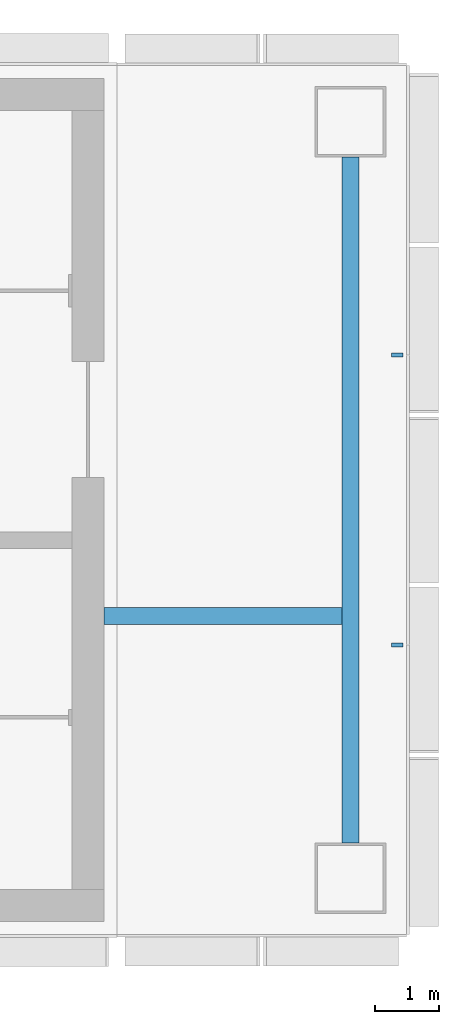
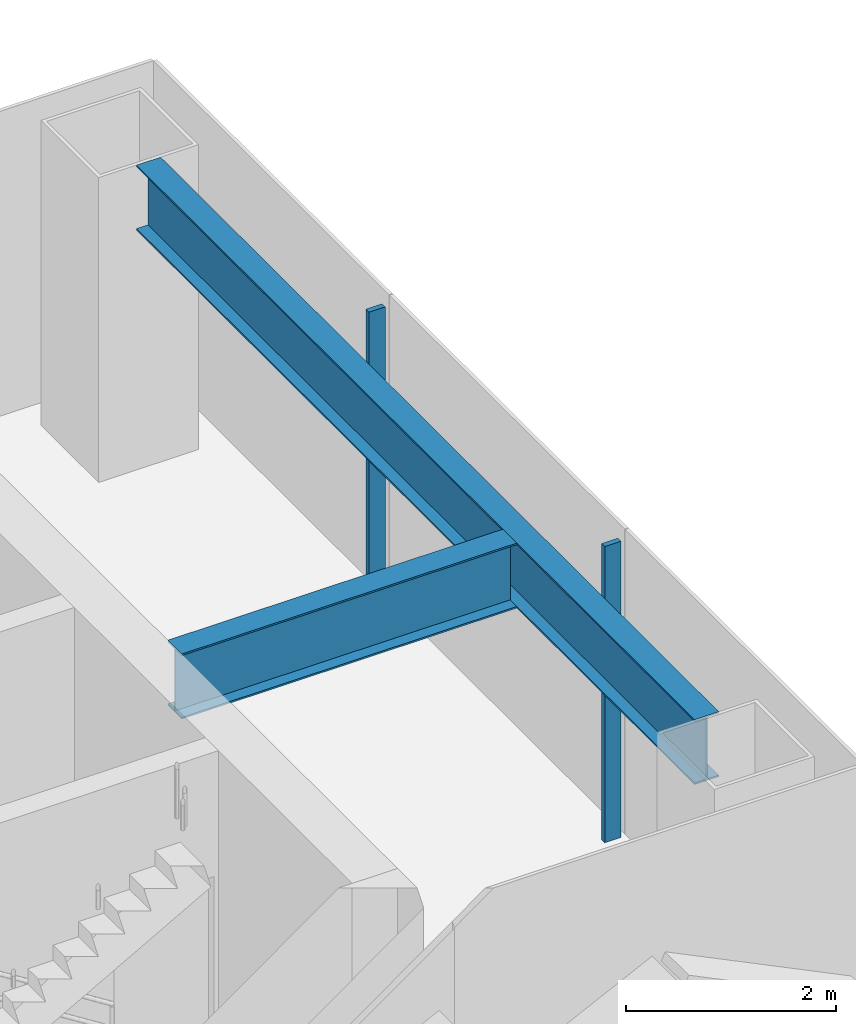
# One storey, part 6 of 16: 2 beams, 2 members, 1 element without a shape of its own.
"""IFC4 building model written with IfcOpenShell, lengths in metres."""

from ifc_helpers import new_model, si_unit, direction, frame, origin, origin_2d, place, context, subcontext, project, spatial, rectangle, i_section, extrude, material, layer, layer_set, material_profile, profile_set, type_object, element, aggregate, save


model = new_model("IFC4")

# Units and contexts
model_context = context("Model", 3, precision=1e-05, world=origin(), true_north=direction((0.0, 1.0)))
body_context = subcontext(model_context, "Body", "Model", "MODEL_VIEW")
ifc_project = project(units=[si_unit("LENGTHUNIT", "METRE"), si_unit("AREAUNIT", "SQUARE_METRE"), si_unit("VOLUMEUNIT", "CUBIC_METRE"), si_unit("PLANEANGLEUNIT", "RADIAN"), si_unit("MASSUNIT", "GRAM", prefix="KILO")], contexts=[model_context])

# Site, building, storey
site_placement = place(None, origin())
site = spatial("IfcSite", under=ifc_project, at=site_placement, CompositionType="ELEMENT")
building_placement = place(site_placement, origin())
building = spatial("IfcBuilding", under=site, at=building_placement, Name="Shamsa Quay Exchange Towers", CompositionType="ELEMENT")
storey_placement = place(building_placement, frame((0.0, 0.0, 146.699951171875)))
storey = spatial("IfcBuildingStorey", under=building, at=storey_placement, Name="L34", CompositionType="ELEMENT", Elevation=146.699951171875)

# Curtain wall, members
ifc_material_1 = material(Name="Aluminium EN AW-6063 T6, black anodised", Category="aluminium")
ifc_layer = layer(ifc_material_1, 0.280029296875)
ifc_layer_set = layer_set([ifc_layer], Name="CW-1 UNITISED VISION GLASS")
curtain_wall_type = type_object("IfcCurtainWallType", Name="CW-1 UNITISED VISION GLASS", PredefinedType="NOTDEFINED", material=ifc_layer_set)
curtain_wall_placement = place(storey_placement, origin())
curtain_wall = element("IfcCurtainWall", 1, at=curtain_wall_placement, inside=storey, type_object=curtain_wall_type, Name="CW1 T2-END-V- L34", PredefinedType="NOTDEFINED")
ifc_material_profile_1 = material_profile(ifc_material_1, rectangle(XDim=0.179931640625, YDim=0.06005859375, at=origin_2d()), Name="MU60x180")
ifc_profile_set_1 = profile_set([ifc_material_profile_1], Name="Aluminium EN AW-6063 T6, black anodised")
member_type = type_object("IfcMemberType", Name="CW1 MULLION 60x180", PredefinedType="MULLION", material=ifc_profile_set_1)
member_1_placement = place(storey_placement, frame((58.35009765625, -2.25, 0.0), z_axis=(0.0, 0.0, 1.0), x_axis=(-1.0, 0.0, 0.0)))
member_1 = element("IfcMember", 2, at=member_1_placement, type_object=member_type, Name="CW1 mullion", PredefinedType="MULLION", context=body_context, shape_type="SweptSolid", body=[
    extrude(rectangle(XDim=0.179931640625, YDim=0.06005859375, at=origin_2d()), origin(), (0.0, 0.0, 1.0), 3.449951171875),
])
member_2_placement = place(storey_placement, frame((58.35009765625, 2.25, 0.0), z_axis=(0.0, 0.0, 1.0), x_axis=(-1.0, 0.0, 0.0)))
member_2 = element("IfcMember", 3, at=member_2_placement, type_object=member_type, Name="CW1 mullion", PredefinedType="MULLION", context=body_context, shape_type="SweptSolid", body=[
    extrude(rectangle(XDim=0.179931640625, YDim=0.06005859375, at=origin_2d()), origin(), (0.0, 0.0, 1.0), 3.449951171875),
])
aggregate(curtain_wall, [member_1, member_2])

# Beams
ifc_material_2 = material(Name="Steel S355", Category="steel")
ifc_material_profile_2 = material_profile(ifc_material_2, i_section(OverallWidth=0.26611328125, OverallDepth=0.7578125, WebThickness=0.013916015625, FlangeThickness=0.019287109375, at=origin_2d()), Name="W30x108")
ifc_profile_set_2 = profile_set([ifc_material_profile_2], Name="Steel S355")
beam_type = type_object("IfcBeamType", Name="End-zone beam W30x108", PredefinedType="BEAM", material=ifc_profile_set_2)
beam_1_placement = place(storey_placement, frame((57.625, -5.324951171875, 3.171142578125), z_axis=(0.0, 1.0, 0.0), x_axis=(-1.0, 0.0, 0.0)))
element("IfcBeam", 4, at=beam_1_placement, inside=storey, type_object=beam_type, Name="End beam T2 V- end zone L34", PredefinedType="BEAM", context=body_context, shape_type="SweptSolid", body=[
    extrude(i_section(OverallWidth=0.26611328125, OverallDepth=0.7578125, WebThickness=0.013916015625, FlangeThickness=0.019287109375, at=origin_2d()), origin(), (0.0, 0.0, 1.0), 10.64990234375),
])
beam_2_placement = place(storey_placement, frame((53.800048828125, -1.800048828125, 3.171142578125), z_axis=(1.0, 0.0, 0.0), x_axis=(0.0, 1.0, 0.0)))
element("IfcBeam", 5, at=beam_2_placement, inside=storey, type_object=beam_type, Name="Spine beam T2 V- end zone L34", PredefinedType="BEAM", context=body_context, shape_type="SweptSolid", body=[
    extrude(i_section(OverallWidth=0.26611328125, OverallDepth=0.7578125, WebThickness=0.013916015625, FlangeThickness=0.019287109375, at=origin_2d()), origin(), (0.0, 0.0, 1.0), 3.69189453125),
])

save(model, "model.ifc")
